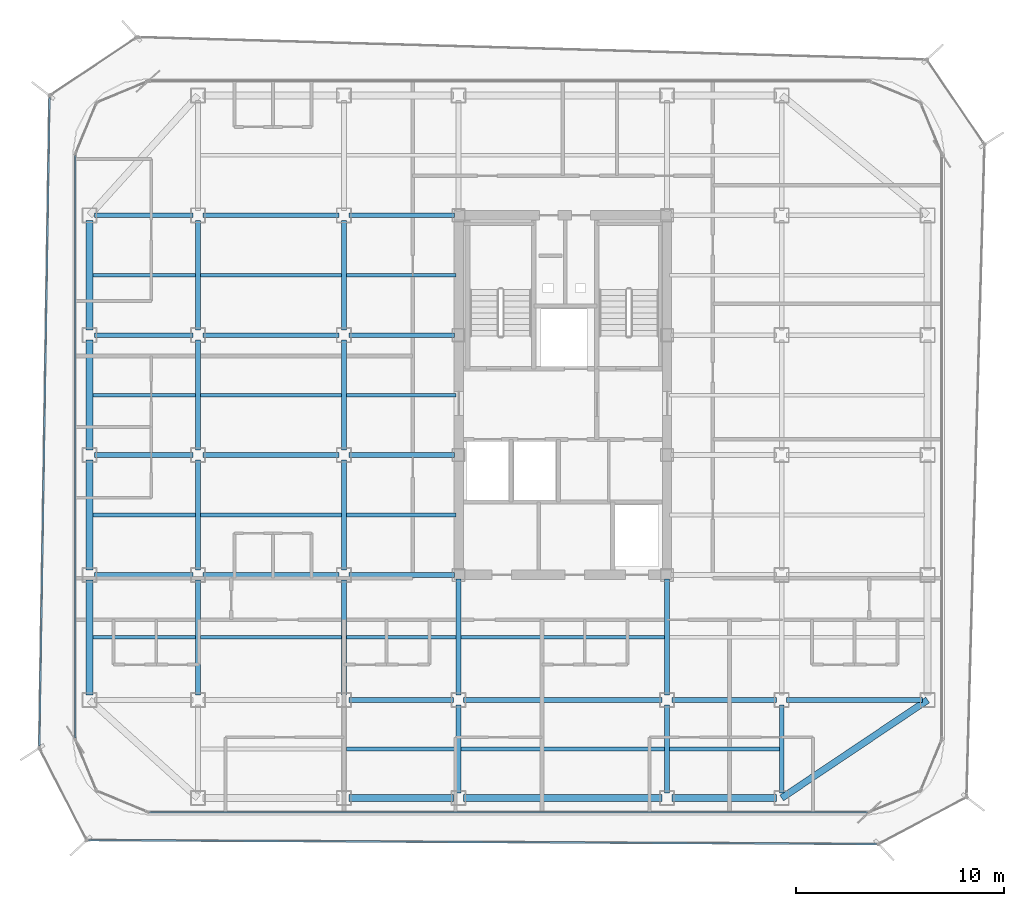
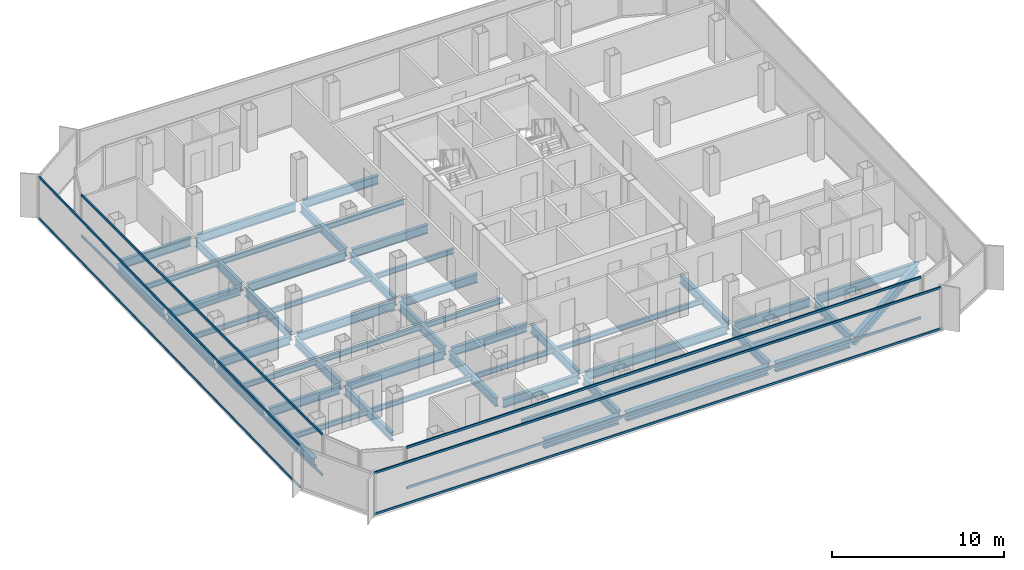
# One storey, part 3 of 16: 53 beams, 8 members, 4 elements without a shape of their own.
"""IFC4 building model written with IfcOpenShell, lengths in metres."""

from ifc_helpers import new_model, si_unit, direction, frame, origin, origin_2d, place, context, subcontext, project, spatial, hollow_rectangle, i_section, extrude, source, transform, mapped, material, layer, layer_set, material_profile, profile_set, type_object, element, aggregate, save


model = new_model("IFC4")

# Units and contexts
model_context = context("Model", 3, precision=1e-05, world=origin(), true_north=direction((0.0, 1.0)))
body_context = subcontext(model_context, "Body", "Model", "MODEL_VIEW")
ifc_project = project(units=[si_unit("LENGTHUNIT", "METRE"), si_unit("AREAUNIT", "SQUARE_METRE"), si_unit("VOLUMEUNIT", "CUBIC_METRE"), si_unit("PLANEANGLEUNIT", "RADIAN"), si_unit("MASSUNIT", "GRAM", prefix="KILO")], contexts=[model_context])

# Site, building, storey
site_placement = place(None, origin())
site = spatial("IfcSite", under=ifc_project, at=site_placement, CompositionType="ELEMENT")
building_placement = place(site_placement, origin())
building = spatial("IfcBuilding", under=site, at=building_placement, Name="Kolveth Station Tower", CompositionType="ELEMENT")
storey_placement = place(building_placement, frame((0.0, 0.0, 209.199951171875)))
storey = spatial("IfcBuildingStorey", under=building, at=storey_placement, Name="L59", CompositionType="ELEMENT", Elevation=209.199951171875)

# Beams
ifc_material_1 = material(Name="Steel S355", Category="steel")
ifc_material_profile_1 = material_profile(ifc_material_1, i_section(OverallWidth=0.323974609375, OverallDepth=0.611083984375, WebThickness=0.0126953125, FlangeThickness=0.01904296875, at=origin_2d()), Name="W610x155")
ifc_profile_set_1 = profile_set([ifc_material_profile_1], Name="Steel S355")
beam_type_1 = type_object("IfcBeamType", Name="Beam_SP2", PredefinedType="SPANDREL", material=ifc_profile_set_1)
shared_shape_1 = source(origin(), body_context, "Body", "SweptSolid", [
    extrude(i_section(OverallWidth=0.323974609375, OverallDepth=0.611083984375, WebThickness=0.0126953125, FlangeThickness=0.01904296875, at=origin_2d()), origin(), (0.0, 0.0, 1.0), 5.02001953125),
])
for number, where, z_axis, x_axis, name in (
    (1, (13.239990234375, 0.800048828125, -0.555419921875), (1.0, 0.0, 0.0), (0.0, 1.0, 0.0), "L59 Perimeter Spandrel BM-L59-PS-2"),
    (2, (28.739990234375, 0.800048828125, -0.555419921875), (1.0, 0.0, 0.0), (0.0, 1.0, 0.0), "L59 Perimeter Spandrel BM-L59-PS-4"),
):
    element("IfcBeam", number, at=place(storey_placement, frame(where, z_axis=z_axis, x_axis=x_axis)), inside=storey, type_object=beam_type_1, Name=name, PredefinedType="SPANDREL", context=body_context, shape_type="MappedRepresentation", body=[
        mapped(shared_shape_1, transform((0.0, 0.0, 0.0), x_axis=(1.0, 0.0, 0.0), y_axis=(0.0, 1.0, 0.0), z_axis=(0.0, 0.0, 1.0), scale=1.0)),
    ])
shared_shape_2 = source(origin(), body_context, "Body", "SweptSolid", [
    extrude(i_section(OverallWidth=0.323974609375, OverallDepth=0.611083984375, WebThickness=0.0126953125, FlangeThickness=0.01904296875, at=origin_2d()), origin(), (0.0, 0.0, 1.0), 9.52001953125),
])
beam_1_placement = place(storey_placement, frame((18.739990234375, 0.800048828125, -0.555419921875), z_axis=(1.0, 0.0, 0.0), x_axis=(0.0, 1.0, 0.0)))
element("IfcBeam", 3, at=beam_1_placement, inside=storey, type_object=beam_type_1, Name="L59 Perimeter Spandrel BM-L59-PS-3", PredefinedType="SPANDREL", context=body_context, shape_type="MappedRepresentation", body=[
    mapped(shared_shape_2, transform((0.0, 0.0, 0.0), x_axis=(1.0, 0.0, 0.0), y_axis=(0.0, 1.0, 0.0), z_axis=(0.0, 0.0, 1.0), scale=1.0)),
])
shared_shape_3 = source(origin(), body_context, "Body", "SweptSolid", [
    extrude(i_section(OverallWidth=0.323974609375, OverallDepth=0.611083984375, WebThickness=0.0126953125, FlangeThickness=0.01904296875, at=origin_2d()), origin(), (0.0, 0.0, 1.0), 5.52001953125),
])
beam_2_placement = place(storey_placement, frame((0.800048828125, 5.739990234375, -0.555419921875), z_axis=(0.0, 1.0, 0.0), x_axis=(-1.0, 0.0, 0.0)))
element("IfcBeam", 4, at=beam_2_placement, inside=storey, type_object=beam_type_1, Name="L59 Perimeter Spandrel BM-L59-PW-1", PredefinedType="SPANDREL", context=body_context, shape_type="MappedRepresentation", body=[
    mapped(shared_shape_3, transform((0.0, 0.0, 0.0), x_axis=(1.0, 0.0, 0.0), y_axis=(0.0, 1.0, 0.0), z_axis=(0.0, 0.0, 1.0), scale=1.0)),
])
shared_shape_4 = source(origin(), body_context, "Body", "SweptSolid", [
    extrude(i_section(OverallWidth=0.323974609375, OverallDepth=0.611083984375, WebThickness=0.0126953125, FlangeThickness=0.01904296875, at=origin_2d()), origin(), (0.0, 0.0, 1.0), 5.27001953125),
])
for number, where, z_axis, x_axis, name in (
    (5, (0.800048828125, 11.739990234375, -0.555419921875), (0.0, 1.0, 0.0), (-1.0, 0.0, 0.0), "L59 Perimeter Spandrel BM-L59-PW-2"),
    (6, (0.800048828125, 17.489990234375, -0.555419921875), (0.0, 1.0, 0.0), (-1.0, 0.0, 0.0), "L59 Perimeter Spandrel BM-L59-PW-3"),
    (7, (0.800048828125, 23.239990234375, -0.555419921875), (0.0, 1.0, 0.0), (-1.0, 0.0, 0.0), "L59 Perimeter Spandrel BM-L59-PW-4"),
):
    element("IfcBeam", number, at=place(storey_placement, frame(where, z_axis=z_axis, x_axis=x_axis)), inside=storey, type_object=beam_type_1, Name=name, PredefinedType="SPANDREL", context=body_context, shape_type="MappedRepresentation", body=[
        mapped(shared_shape_4, transform((0.0, 0.0, 0.0), x_axis=(1.0, 0.0, 0.0), y_axis=(0.0, 1.0, 0.0), z_axis=(0.0, 0.0, 1.0), scale=1.0)),
    ])
shared_shape_5 = source(origin(), body_context, "Body", "SweptSolid", [
    extrude(i_section(OverallWidth=0.323974609375, OverallDepth=0.611083984375, WebThickness=0.0126953125, FlangeThickness=0.01904296875, at=origin_2d()), origin(), (0.0, 0.0, 1.0), 8.431396484375),
])
beam_3_placement = place(storey_placement, frame((34.0, 0.800048828125, -0.555419921875), z_axis=(0.830223811004, 0.557430196206, 0.0), x_axis=(-0.557430196206, 0.830223811004, 0.0)))
element("IfcBeam", 8, at=beam_3_placement, inside=storey, type_object=beam_type_1, Name="L59 Corner Edge Girder BM-L59-CNR-SE", PredefinedType="SPANDREL", context=body_context, shape_type="MappedRepresentation", body=[
    mapped(shared_shape_5, transform((0.0, 0.0, 0.0), x_axis=(1.0, 0.0, 0.0), y_axis=(0.0, 1.0, 0.0), z_axis=(0.0, 0.0, 1.0), scale=1.0)),
])
ifc_material_profile_2 = material_profile(ifc_material_1, i_section(OverallWidth=0.22900390625, OverallDepth=0.612060546875, WebThickness=0.011962890625, FlangeThickness=0.01953125, at=origin_2d()), Name="W610x125")
ifc_profile_set_2 = profile_set([ifc_material_profile_2], Name="Steel S355")
beam_type_2 = type_object("IfcBeamType", Name="Beam_B5", PredefinedType="BEAM", material=ifc_profile_set_2)
shared_shape_6 = source(origin(), body_context, "Body", "SweptSolid", [
    extrude(i_section(OverallWidth=0.22900390625, OverallDepth=0.612060546875, WebThickness=0.011962890625, FlangeThickness=0.01953125, at=origin_2d()), origin(), (0.0, 0.0, 1.0), 4.719970703125),
])
for number, where, z_axis, x_axis, name in (
    (9, (1.0400390625, 11.5, -0.555908203125), (1.0, 0.0, 0.0), (0.0, 1.0, 0.0), "L59 Primary Girder BM-L59-GY115-1"),
    (10, (1.0400390625, 17.25, -0.555908203125), (1.0, 0.0, 0.0), (0.0, 1.0, 0.0), "L59 Primary Girder BM-L59-GY172-1"),
    (11, (1.0400390625, 23.0, -0.555908203125), (1.0, 0.0, 0.0), (0.0, 1.0, 0.0), "L59 Primary Girder BM-L59-GY230-1"),
    (12, (1.0400390625, 28.75, -0.555908203125), (1.0, 0.0, 0.0), (0.0, 1.0, 0.0), "L59 Primary Girder BM-L59-GY287-1"),
):
    element("IfcBeam", number, at=place(storey_placement, frame(where, z_axis=z_axis, x_axis=x_axis)), inside=storey, type_object=beam_type_2, Name=name, PredefinedType="BEAM", context=body_context, shape_type="MappedRepresentation", body=[
        mapped(shared_shape_6, transform((0.0, 0.0, 0.0), x_axis=(1.0, 0.0, 0.0), y_axis=(0.0, 1.0, 0.0), z_axis=(0.0, 0.0, 1.0), scale=1.0)),
    ])
shared_shape_7 = source(origin(), body_context, "Body", "SweptSolid", [
    extrude(i_section(OverallWidth=0.22900390625, OverallDepth=0.612060546875, WebThickness=0.011962890625, FlangeThickness=0.01953125, at=origin_2d()), origin(), (0.0, 0.0, 1.0), 6.52001953125),
])
for number, where, z_axis, x_axis, name in (
    (13, (34.239990234375, 5.5, -0.555908203125), (1.0, 0.0, 0.0), (0.0, 1.0, 0.0), "L59 Primary Girder BM-L59-GY55-6"),
    (14, (6.239990234375, 11.5, -0.555908203125), (1.0, 0.0, 0.0), (0.0, 1.0, 0.0), "L59 Primary Girder BM-L59-GY115-2"),
    (15, (6.239990234375, 17.25, -0.555908203125), (1.0, 0.0, 0.0), (0.0, 1.0, 0.0), "L59 Primary Girder BM-L59-GY172-2"),
    (16, (6.239990234375, 23.0, -0.555908203125), (1.0, 0.0, 0.0), (0.0, 1.0, 0.0), "L59 Primary Girder BM-L59-GY230-2"),
    (17, (6.239990234375, 28.75, -0.555908203125), (1.0, 0.0, 0.0), (0.0, 1.0, 0.0), "L59 Primary Girder BM-L59-GY287-2"),
):
    element("IfcBeam", number, at=place(storey_placement, frame(where, z_axis=z_axis, x_axis=x_axis)), inside=storey, type_object=beam_type_2, Name=name, PredefinedType="BEAM", context=body_context, shape_type="MappedRepresentation", body=[
        mapped(shared_shape_7, transform((0.0, 0.0, 0.0), x_axis=(1.0, 0.0, 0.0), y_axis=(0.0, 1.0, 0.0), z_axis=(0.0, 0.0, 1.0), scale=1.0)),
    ])
shared_shape_8 = source(origin(), body_context, "Body", "SweptSolid", [
    extrude(i_section(OverallWidth=0.22900390625, OverallDepth=0.612060546875, WebThickness=0.011962890625, FlangeThickness=0.01953125, at=origin_2d()), origin(), (0.0, 0.0, 1.0), 5.02001953125),
])
for number, where, z_axis, x_axis, name in (
    (18, (13.239990234375, 5.5, -0.555908203125), (1.0, 0.0, 0.0), (0.0, 1.0, 0.0), "L59 Primary Girder BM-L59-GY55-3"),
    (19, (28.739990234375, 5.5, -0.555908203125), (1.0, 0.0, 0.0), (0.0, 1.0, 0.0), "L59 Primary Girder BM-L59-GY55-5"),
):
    element("IfcBeam", number, at=place(storey_placement, frame(where, z_axis=z_axis, x_axis=x_axis)), inside=storey, type_object=beam_type_2, Name=name, PredefinedType="BEAM", context=body_context, shape_type="MappedRepresentation", body=[
        mapped(shared_shape_8, transform((0.0, 0.0, 0.0), x_axis=(1.0, 0.0, 0.0), y_axis=(0.0, 1.0, 0.0), z_axis=(0.0, 0.0, 1.0), scale=1.0)),
    ])
shared_shape_9 = source(origin(), body_context, "Body", "SweptSolid", [
    extrude(i_section(OverallWidth=0.22900390625, OverallDepth=0.612060546875, WebThickness=0.011962890625, FlangeThickness=0.01953125, at=origin_2d()), origin(), (0.0, 0.0, 1.0), 9.52001953125),
])
beam_4_placement = place(storey_placement, frame((18.739990234375, 5.5, -0.555908203125), z_axis=(1.0, 0.0, 0.0), x_axis=(0.0, 1.0, 0.0)))
element("IfcBeam", 20, at=beam_4_placement, inside=storey, type_object=beam_type_2, Name="L59 Primary Girder BM-L59-GY55-4", PredefinedType="BEAM", context=body_context, shape_type="MappedRepresentation", body=[
    mapped(shared_shape_9, transform((0.0, 0.0, 0.0), x_axis=(1.0, 0.0, 0.0), y_axis=(0.0, 1.0, 0.0), z_axis=(0.0, 0.0, 1.0), scale=1.0)),
])
shared_shape_10 = source(origin(), body_context, "Body", "SweptSolid", [
    extrude(i_section(OverallWidth=0.22900390625, OverallDepth=0.612060546875, WebThickness=0.011962890625, FlangeThickness=0.01953125, at=origin_2d()), origin(), (0.0, 0.0, 1.0), 5.06005859375),
])
for number, where, z_axis, x_axis, name in (
    (21, (13.239990234375, 11.5, -0.555908203125), (1.0, 0.0, 0.0), (0.0, 1.0, 0.0), "L59 Primary Girder BM-L59-GY115-3"),
    (22, (13.239990234375, 17.25, -0.555908203125), (1.0, 0.0, 0.0), (0.0, 1.0, 0.0), "L59 Primary Girder BM-L59-GY172-3"),
    (23, (13.239990234375, 23.0, -0.555908203125), (1.0, 0.0, 0.0), (0.0, 1.0, 0.0), "L59 Primary Girder BM-L59-GY230-3"),
    (24, (13.239990234375, 28.75, -0.555908203125), (1.0, 0.0, 0.0), (0.0, 1.0, 0.0), "L59 Primary Girder BM-L59-GY287-3"),
):
    element("IfcBeam", number, at=place(storey_placement, frame(where, z_axis=z_axis, x_axis=x_axis)), inside=storey, type_object=beam_type_2, Name=name, PredefinedType="BEAM", context=body_context, shape_type="MappedRepresentation", body=[
        mapped(shared_shape_10, transform((0.0, 0.0, 0.0), x_axis=(1.0, 0.0, 0.0), y_axis=(0.0, 1.0, 0.0), z_axis=(0.0, 0.0, 1.0), scale=1.0)),
    ])
shared_shape_11 = source(origin(), body_context, "Body", "SweptSolid", [
    extrude(i_section(OverallWidth=0.22900390625, OverallDepth=0.612060546875, WebThickness=0.011962890625, FlangeThickness=0.01953125, at=origin_2d()), origin(), (0.0, 0.0, 1.0), 4.219970703125),
])
for number, where, z_axis, x_axis, name in (
    (25, (18.5, 1.0400390625, -0.555908203125), (0.0, 1.0, 0.0), (-1.0, 0.0, 0.0), "L59 Primary Girder BM-L59-GX185-1"),
    (26, (28.5, 1.0400390625, -0.555908203125), (0.0, 1.0, 0.0), (-1.0, 0.0, 0.0), "L59 Primary Girder BM-L59-GX285-1"),
    (27, (34.0, 1.0400390625, -0.555908203125), (0.0, 1.0, 0.0), (-1.0, 0.0, 0.0), "L59 Primary Girder BM-L59-GX340-1"),
):
    element("IfcBeam", number, at=place(storey_placement, frame(where, z_axis=z_axis, x_axis=x_axis)), inside=storey, type_object=beam_type_2, Name=name, PredefinedType="BEAM", context=body_context, shape_type="MappedRepresentation", body=[
        mapped(shared_shape_11, transform((0.0, 0.0, 0.0), x_axis=(1.0, 0.0, 0.0), y_axis=(0.0, 1.0, 0.0), z_axis=(0.0, 0.0, 1.0), scale=1.0)),
    ])
shared_shape_12 = source(origin(), body_context, "Body", "SweptSolid", [
    extrude(i_section(OverallWidth=0.22900390625, OverallDepth=0.612060546875, WebThickness=0.011962890625, FlangeThickness=0.01953125, at=origin_2d()), origin(), (0.0, 0.0, 1.0), 5.52001953125),
])
for number, where, z_axis, x_axis, name in (
    (28, (6.0, 5.739990234375, -0.555908203125), (0.0, 1.0, 0.0), (-1.0, 0.0, 0.0), "L59 Primary Girder BM-L59-GX60-2"),
    (29, (13.0, 5.739990234375, -0.555908203125), (0.0, 1.0, 0.0), (-1.0, 0.0, 0.0), "L59 Primary Girder BM-L59-GX130-2"),
):
    element("IfcBeam", number, at=place(storey_placement, frame(where, z_axis=z_axis, x_axis=x_axis)), inside=storey, type_object=beam_type_2, Name=name, PredefinedType="BEAM", context=body_context, shape_type="MappedRepresentation", body=[
        mapped(shared_shape_12, transform((0.0, 0.0, 0.0), x_axis=(1.0, 0.0, 0.0), y_axis=(0.0, 1.0, 0.0), z_axis=(0.0, 0.0, 1.0), scale=1.0)),
    ])
shared_shape_13 = source(origin(), body_context, "Body", "SweptSolid", [
    extrude(i_section(OverallWidth=0.22900390625, OverallDepth=0.612060546875, WebThickness=0.011962890625, FlangeThickness=0.01953125, at=origin_2d()), origin(), (0.0, 0.0, 1.0), 5.27001953125),
])
for number, where, z_axis, x_axis, name in (
    (30, (6.0, 11.739990234375, -0.555908203125), (0.0, 1.0, 0.0), (-1.0, 0.0, 0.0), "L59 Primary Girder BM-L59-GX60-3"),
    (31, (6.0, 17.489990234375, -0.555908203125), (0.0, 1.0, 0.0), (-1.0, 0.0, 0.0), "L59 Primary Girder BM-L59-GX60-4"),
    (32, (6.0, 23.239990234375, -0.555908203125), (0.0, 1.0, 0.0), (-1.0, 0.0, 0.0), "L59 Primary Girder BM-L59-GX60-5"),
    (33, (13.0, 11.739990234375, -0.555908203125), (0.0, 1.0, 0.0), (-1.0, 0.0, 0.0), "L59 Primary Girder BM-L59-GX130-3"),
    (34, (13.0, 17.489990234375, -0.555908203125), (0.0, 1.0, 0.0), (-1.0, 0.0, 0.0), "L59 Primary Girder BM-L59-GX130-4"),
    (35, (13.0, 23.239990234375, -0.555908203125), (0.0, 1.0, 0.0), (-1.0, 0.0, 0.0), "L59 Primary Girder BM-L59-GX130-5"),
):
    element("IfcBeam", number, at=place(storey_placement, frame(where, z_axis=z_axis, x_axis=x_axis)), inside=storey, type_object=beam_type_2, Name=name, PredefinedType="BEAM", context=body_context, shape_type="MappedRepresentation", body=[
        mapped(shared_shape_13, transform((0.0, 0.0, 0.0), x_axis=(1.0, 0.0, 0.0), y_axis=(0.0, 1.0, 0.0), z_axis=(0.0, 0.0, 1.0), scale=1.0)),
    ])
shared_shape_14 = source(origin(), body_context, "Body", "SweptSolid", [
    extrude(i_section(OverallWidth=0.22900390625, OverallDepth=0.612060546875, WebThickness=0.011962890625, FlangeThickness=0.01953125, at=origin_2d()), origin(), (0.0, 0.0, 1.0), 5.56005859375),
])
for number, where, z_axis, x_axis, name in (
    (36, (18.5, 5.739990234375, -0.555908203125), (0.0, 1.0, 0.0), (-1.0, 0.0, 0.0), "L59 Primary Girder BM-L59-GX185-2"),
    (37, (28.5, 5.739990234375, -0.555908203125), (0.0, 1.0, 0.0), (-1.0, 0.0, 0.0), "L59 Primary Girder BM-L59-GX285-2"),
):
    element("IfcBeam", number, at=place(storey_placement, frame(where, z_axis=z_axis, x_axis=x_axis)), inside=storey, type_object=beam_type_2, Name=name, PredefinedType="BEAM", context=body_context, shape_type="MappedRepresentation", body=[
        mapped(shared_shape_14, transform((0.0, 0.0, 0.0), x_axis=(1.0, 0.0, 0.0), y_axis=(0.0, 1.0, 0.0), z_axis=(0.0, 0.0, 1.0), scale=1.0)),
    ])
ifc_material_profile_3 = material_profile(ifc_material_1, i_section(OverallWidth=0.1708984375, OverallDepth=0.35205078125, WebThickness=0.0068359375, FlangeThickness=0.009765625, at=origin_2d()), Name="W360x44")
ifc_profile_set_3 = profile_set([ifc_material_profile_3], Name="Steel S355")
beam_type_3 = type_object("IfcBeamType", Name="Beam_J2", PredefinedType="JOIST", material=ifc_profile_set_3)
shared_shape_15 = source(origin(), body_context, "Body", "SweptSolid", [
    extrude(i_section(OverallWidth=0.1708984375, OverallDepth=0.35205078125, WebThickness=0.0068359375, FlangeThickness=0.009765625, at=origin_2d()), origin(), (0.0, 0.0, 1.0), 4.927490234375),
])
for number, where, z_axis, x_axis, name in (
    (38, (0.9599609375, 8.5, -0.426025390625), (1.0, 0.0, 0.0), (0.0, 1.0, 0.0), "L59 Secondary Joist JST-L59-1-2"),
    (39, (0.9599609375, 14.375, -0.426025390625), (1.0, 0.0, 0.0), (0.0, 1.0, 0.0), "L59 Secondary Joist JST-L59-1-3"),
    (40, (0.9599609375, 20.125, -0.426025390625), (1.0, 0.0, 0.0), (0.0, 1.0, 0.0), "L59 Secondary Joist JST-L59-1-4"),
    (41, (0.9599609375, 25.875, -0.426025390625), (1.0, 0.0, 0.0), (0.0, 1.0, 0.0), "L59 Secondary Joist JST-L59-1-5"),
):
    element("IfcBeam", number, at=place(storey_placement, frame(where, z_axis=z_axis, x_axis=x_axis)), inside=storey, type_object=beam_type_3, Name=name, PredefinedType="JOIST", context=body_context, shape_type="MappedRepresentation", body=[
        mapped(shared_shape_15, transform((0.0, 0.0, 0.0), x_axis=(1.0, 0.0, 0.0), y_axis=(0.0, 1.0, 0.0), z_axis=(0.0, 0.0, 1.0), scale=1.0)),
    ])
shared_shape_16 = source(origin(), body_context, "Body", "SweptSolid", [
    extrude(i_section(OverallWidth=0.1708984375, OverallDepth=0.35205078125, WebThickness=0.0068359375, FlangeThickness=0.009765625, at=origin_2d()), origin(), (0.0, 0.0, 1.0), 6.77490234375),
])
for number, where, z_axis, x_axis, name in (
    (42, (6.112548828125, 8.5, -0.426025390625), (1.0, 0.0, 0.0), (0.0, 1.0, 0.0), "L59 Secondary Joist JST-L59-2-2"),
    (43, (6.112548828125, 14.375, -0.426025390625), (1.0, 0.0, 0.0), (0.0, 1.0, 0.0), "L59 Secondary Joist JST-L59-2-3"),
    (44, (6.112548828125, 20.125, -0.426025390625), (1.0, 0.0, 0.0), (0.0, 1.0, 0.0), "L59 Secondary Joist JST-L59-2-4"),
    (45, (6.112548828125, 25.875, -0.426025390625), (1.0, 0.0, 0.0), (0.0, 1.0, 0.0), "L59 Secondary Joist JST-L59-2-5"),
):
    element("IfcBeam", number, at=place(storey_placement, frame(where, z_axis=z_axis, x_axis=x_axis)), inside=storey, type_object=beam_type_3, Name=name, PredefinedType="JOIST", context=body_context, shape_type="MappedRepresentation", body=[
        mapped(shared_shape_16, transform((0.0, 0.0, 0.0), x_axis=(1.0, 0.0, 0.0), y_axis=(0.0, 1.0, 0.0), z_axis=(0.0, 0.0, 1.0), scale=1.0)),
    ])
shared_shape_17 = source(origin(), body_context, "Body", "SweptSolid", [
    extrude(i_section(OverallWidth=0.1708984375, OverallDepth=0.35205078125, WebThickness=0.0068359375, FlangeThickness=0.009765625, at=origin_2d()), origin(), (0.0, 0.0, 1.0), 5.27490234375),
])
for number, where, z_axis, x_axis, name in (
    (46, (13.112548828125, 3.14990234375, -0.426025390625), (1.0, 0.0, 0.0), (0.0, 1.0, 0.0), "L59 Secondary Joist JST-L59-3-1"),
    (47, (13.112548828125, 8.5, -0.426025390625), (1.0, 0.0, 0.0), (0.0, 1.0, 0.0), "L59 Secondary Joist JST-L59-3-2"),
    (48, (13.112548828125, 14.375, -0.426025390625), (1.0, 0.0, 0.0), (0.0, 1.0, 0.0), "L59 Secondary Joist JST-L59-3-3"),
    (49, (13.112548828125, 20.125, -0.426025390625), (1.0, 0.0, 0.0), (0.0, 1.0, 0.0), "L59 Secondary Joist JST-L59-3-4"),
    (50, (13.112548828125, 25.875, -0.426025390625), (1.0, 0.0, 0.0), (0.0, 1.0, 0.0), "L59 Secondary Joist JST-L59-3-5"),
    (51, (28.612548828125, 3.14990234375, -0.426025390625), (1.0, 0.0, 0.0), (0.0, 1.0, 0.0), "L59 Secondary Joist JST-L59-5-1"),
):
    element("IfcBeam", number, at=place(storey_placement, frame(where, z_axis=z_axis, x_axis=x_axis)), inside=storey, type_object=beam_type_3, Name=name, PredefinedType="JOIST", context=body_context, shape_type="MappedRepresentation", body=[
        mapped(shared_shape_17, transform((0.0, 0.0, 0.0), x_axis=(1.0, 0.0, 0.0), y_axis=(0.0, 1.0, 0.0), z_axis=(0.0, 0.0, 1.0), scale=1.0)),
    ])
shared_shape_18 = source(origin(), body_context, "Body", "SweptSolid", [
    extrude(i_section(OverallWidth=0.1708984375, OverallDepth=0.35205078125, WebThickness=0.0068359375, FlangeThickness=0.009765625, at=origin_2d()), origin(), (0.0, 0.0, 1.0), 9.77490234375),
])
for number, where, z_axis, x_axis, name in (
    (52, (18.612548828125, 3.14990234375, -0.426025390625), (1.0, 0.0, 0.0), (0.0, 1.0, 0.0), "L59 Secondary Joist JST-L59-4-1"),
    (53, (18.612548828125, 8.5, -0.426025390625), (1.0, 0.0, 0.0), (0.0, 1.0, 0.0), "L59 Secondary Joist JST-L59-4-2"),
):
    element("IfcBeam", number, at=place(storey_placement, frame(where, z_axis=z_axis, x_axis=x_axis)), inside=storey, type_object=beam_type_3, Name=name, PredefinedType="JOIST", context=body_context, shape_type="MappedRepresentation", body=[
        mapped(shared_shape_18, transform((0.0, 0.0, 0.0), x_axis=(1.0, 0.0, 0.0), y_axis=(0.0, 1.0, 0.0), z_axis=(0.0, 0.0, 1.0), scale=1.0)),
    ])

# Curtain wall, members
ifc_material_2 = material(Name="Aluminium 6063-T6 and low-E dark glass", Category="aluminium")
ifc_layer_1 = layer(ifc_material_2, 0.18994140625)
ifc_layer_set_1 = layer_set([ifc_layer_1], Name="Aluminium 6063-T6 and low-E dark glass")
curtain_wall_type_1 = type_object("IfcCurtainWallType", Name="CurtainWall_CW-Z2", PredefinedType="NOTDEFINED", material=ifc_layer_set_1)
curtain_wall_1_placement = place(storey_placement, origin())
curtain_wall_1 = element("IfcCurtainWall", 54, at=curtain_wall_1_placement, inside=storey, type_object=curtain_wall_type_1, Name="L59 Inner Thermal Curtain Wall 9", PredefinedType="NOTDEFINED")
ifc_material_3 = material(Name="Black anodized aluminium 6063-T6", Category="aluminium")
ifc_material_profile_4 = material_profile(ifc_material_3, hollow_rectangle(XDim=0.080078125, YDim=0.169921875, WallThickness=0.0048828125, at=origin_2d()), Name="ALU-80x170x5")
ifc_profile_set_4 = profile_set([ifc_material_profile_4], Name="Black anodized aluminium 6063-T6")
member_type_1 = type_object("IfcMemberType", Name="Transom_TR2", PredefinedType="USERDEFINED", material=ifc_profile_set_4)
shared_shape_19 = source(origin(), body_context, "Body", "SweptSolid", [
    extrude(hollow_rectangle(XDim=0.080078125, YDim=0.169921875, WallThickness=0.0048828125, at=origin_2d()), origin(), (0.0, 0.0, 1.0), 27.940185546875),
])
member_1_placement = place(storey_placement, frame((0.1201171875, 31.6201171875, 0.0400390625), z_axis=(0.0, -1.0, 0.0), x_axis=(1.0, 0.0, 0.0)))
member_1 = element("IfcMember", 55, at=member_1_placement, type_object=member_type_1, Name="CW-Z2 transom 1.1", ObjectType="TRANSOM", PredefinedType="USERDEFINED", context=body_context, shape_type="MappedRepresentation", body=[
    mapped(shared_shape_19, transform((0.0, 0.0, 0.0), x_axis=(1.0, 0.0, 0.0), y_axis=(0.0, 1.0, 0.0), z_axis=(0.0, 0.0, 1.0), scale=1.0)),
])
member_2_placement = place(storey_placement, frame((0.1201171875, 31.6201171875, 2.91015625), z_axis=(0.0, -1.0, 0.0), x_axis=(1.0, 0.0, 0.0)))
member_2 = element("IfcMember", 56, at=member_2_placement, type_object=member_type_1, Name="CW-Z2 transom 1.2", ObjectType="TRANSOM", PredefinedType="USERDEFINED", context=body_context, shape_type="MappedRepresentation", body=[
    mapped(shared_shape_19, transform((0.0, 0.0, 0.0), x_axis=(1.0, 0.0, 0.0), y_axis=(0.0, 1.0, 0.0), z_axis=(0.0, 0.0, 1.0), scale=1.0)),
])
aggregate(curtain_wall_1, [member_1, member_2])

curtain_wall_2_placement = place(storey_placement, origin())
curtain_wall_2 = element("IfcCurtainWall", 57, at=curtain_wall_2_placement, inside=storey, type_object=curtain_wall_type_1, Name="L59 Inner Thermal Curtain Wall 12", PredefinedType="NOTDEFINED")
shared_shape_20 = source(origin(), body_context, "Body", "SweptSolid", [
    extrude(hollow_rectangle(XDim=0.080078125, YDim=0.169921875, WallThickness=0.0048828125, at=origin_2d()), origin(), (0.0, 0.0, 1.0), 34.440185546875),
])
member_3_placement = place(storey_placement, frame((3.679931640625, 0.1201171875, 0.0400390625), z_axis=(1.0, 0.0, 0.0), x_axis=(0.0, 1.0, 0.0)))
member_3 = element("IfcMember", 58, at=member_3_placement, type_object=member_type_1, Name="CW-Z2 transom 1.1", ObjectType="TRANSOM", PredefinedType="USERDEFINED", context=body_context, shape_type="MappedRepresentation", body=[
    mapped(shared_shape_20, transform((0.0, 0.0, 0.0), x_axis=(1.0, 0.0, 0.0), y_axis=(0.0, 1.0, 0.0), z_axis=(0.0, 0.0, 1.0), scale=1.0)),
])
member_4_placement = place(storey_placement, frame((3.679931640625, 0.1201171875, 2.91015625), z_axis=(1.0, 0.0, 0.0), x_axis=(0.0, 1.0, 0.0)))
member_4 = element("IfcMember", 59, at=member_4_placement, type_object=member_type_1, Name="CW-Z2 transom 1.2", ObjectType="TRANSOM", PredefinedType="USERDEFINED", context=body_context, shape_type="MappedRepresentation", body=[
    mapped(shared_shape_20, transform((0.0, 0.0, 0.0), x_axis=(1.0, 0.0, 0.0), y_axis=(0.0, 1.0, 0.0), z_axis=(0.0, 0.0, 1.0), scale=1.0)),
])
aggregate(curtain_wall_2, [member_3, member_4])

ifc_material_4 = material(Name="Black anodized aluminium 6063-T6 and dark solar glass", Category="aluminium")
ifc_layer_2 = layer(ifc_material_4, 0.159912109375)
ifc_layer_set_2 = layer_set([ifc_layer_2], Name="Black anodized aluminium 6063-T6 and dark solar glass")
curtain_wall_type_2 = type_object("IfcCurtainWallType", Name="OUTER SKIN CW-OS", PredefinedType="NOTDEFINED", material=ifc_layer_set_2)
curtain_wall_3_placement = place(storey_placement, origin())
curtain_wall_3 = element("IfcCurtainWall", 60, at=curtain_wall_3_placement, inside=storey, type_object=curtain_wall_type_2, Name="L59 Outer Ventilated Skin Curtain Wall 6", PredefinedType="NOTDEFINED")
ifc_material_profile_5 = material_profile(ifc_material_3, hollow_rectangle(XDim=0.080078125, YDim=0.14990234375, WallThickness=0.0048828125, at=origin_2d()), Name="ALU-80x150x5")
ifc_profile_set_5 = profile_set([ifc_material_profile_5], Name="Black anodized aluminium 6063-T6")
member_type_2 = type_object("IfcMemberType", Name="Transom_TR-OS", PredefinedType="USERDEFINED", material=ifc_profile_set_5)
shared_shape_21 = source(origin(), body_context, "Body", "SweptSolid", [
    extrude(hollow_rectangle(XDim=0.080078125, YDim=0.14990234375, WallThickness=0.0048828125, at=origin_2d()), origin(), (0.0, 0.0, 1.0), 31.118896484375),
])
member_5_placement = place(storey_placement, frame((-1.117431640625, 34.39990234375, 0.0400390625), z_axis=(-0.015722239845, -0.999876397948, 0.0), x_axis=(0.999876397948, -0.015722239845, 0.0)))
member_5 = element("IfcMember", 61, at=member_5_placement, type_object=member_type_2, Name="CW-OS transom 1.1", ObjectType="TRANSOM", PredefinedType="USERDEFINED", context=body_context, shape_type="MappedRepresentation", body=[
    mapped(shared_shape_21, transform((0.0, 0.0, 0.0), x_axis=(1.0, 0.0, 0.0), y_axis=(0.0, 1.0, 0.0), z_axis=(0.0, 0.0, 1.0), scale=1.0)),
])
member_6_placement = place(storey_placement, frame((-1.117431640625, 34.39990234375, 2.949951171875), z_axis=(-0.015722239845, -0.999876397948, 0.0), x_axis=(0.999876397948, -0.015722239845, 0.0)))
member_6 = element("IfcMember", 62, at=member_6_placement, type_object=member_type_2, Name="CW-OS transom 1.2", ObjectType="TRANSOM", PredefinedType="USERDEFINED", context=body_context, shape_type="MappedRepresentation", body=[
    mapped(shared_shape_21, transform((0.0, 0.0, 0.0), x_axis=(1.0, 0.0, 0.0), y_axis=(0.0, 1.0, 0.0), z_axis=(0.0, 0.0, 1.0), scale=1.0)),
])
aggregate(curtain_wall_3, [member_5, member_6])

curtain_wall_4_placement = place(storey_placement, origin())
curtain_wall_4 = element("IfcCurtainWall", 63, at=curtain_wall_4_placement, inside=storey, type_object=curtain_wall_type_2, Name="L59 Outer Ventilated Skin Curtain Wall 8", PredefinedType="NOTDEFINED")
shared_shape_22 = source(origin(), body_context, "Body", "SweptSolid", [
    extrude(hollow_rectangle(XDim=0.080078125, YDim=0.14990234375, WallThickness=0.0048828125, at=origin_2d()), origin(), (0.0, 0.0, 1.0), 37.80517578125),
])
member_7_placement = place(storey_placement, frame((0.75390625, -1.22265625, 0.0400390625), z_axis=(0.999988019101, -0.004895064311, 0.0), x_axis=(0.004895064311, 0.999988019101, 0.0)))
member_7 = element("IfcMember", 64, at=member_7_placement, type_object=member_type_2, Name="CW-OS transom 1.1", ObjectType="TRANSOM", PredefinedType="USERDEFINED", context=body_context, shape_type="MappedRepresentation", body=[
    mapped(shared_shape_22, transform((0.0, 0.0, 0.0), x_axis=(1.0, 0.0, 0.0), y_axis=(0.0, 1.0, 0.0), z_axis=(0.0, 0.0, 1.0), scale=1.0)),
])
member_8_placement = place(storey_placement, frame((0.75390625, -1.22265625, 2.949951171875), z_axis=(0.999988019101, -0.004895064311, 0.0), x_axis=(0.004895064311, 0.999988019101, 0.0)))
member_8 = element("IfcMember", 65, at=member_8_placement, type_object=member_type_2, Name="CW-OS transom 1.2", ObjectType="TRANSOM", PredefinedType="USERDEFINED", context=body_context, shape_type="MappedRepresentation", body=[
    mapped(shared_shape_22, transform((0.0, 0.0, 0.0), x_axis=(1.0, 0.0, 0.0), y_axis=(0.0, 1.0, 0.0), z_axis=(0.0, 0.0, 1.0), scale=1.0)),
])
aggregate(curtain_wall_4, [member_7, member_8])

save(model, "model.ifc")
